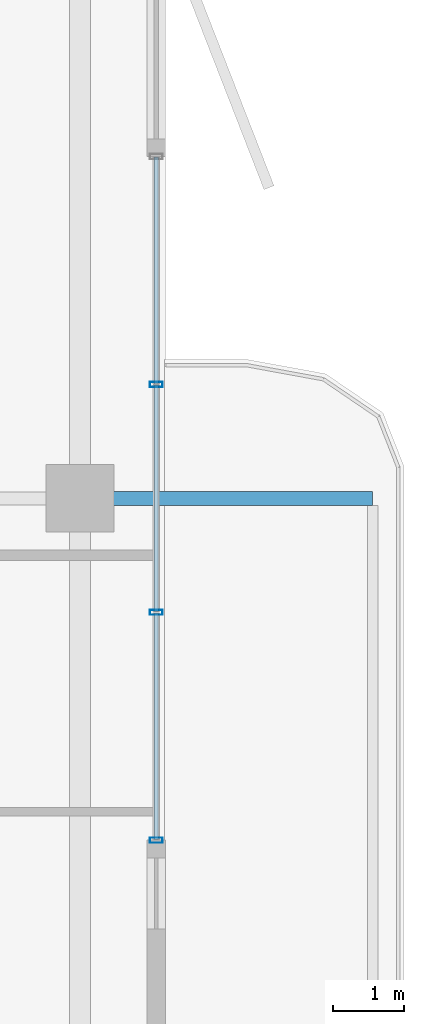
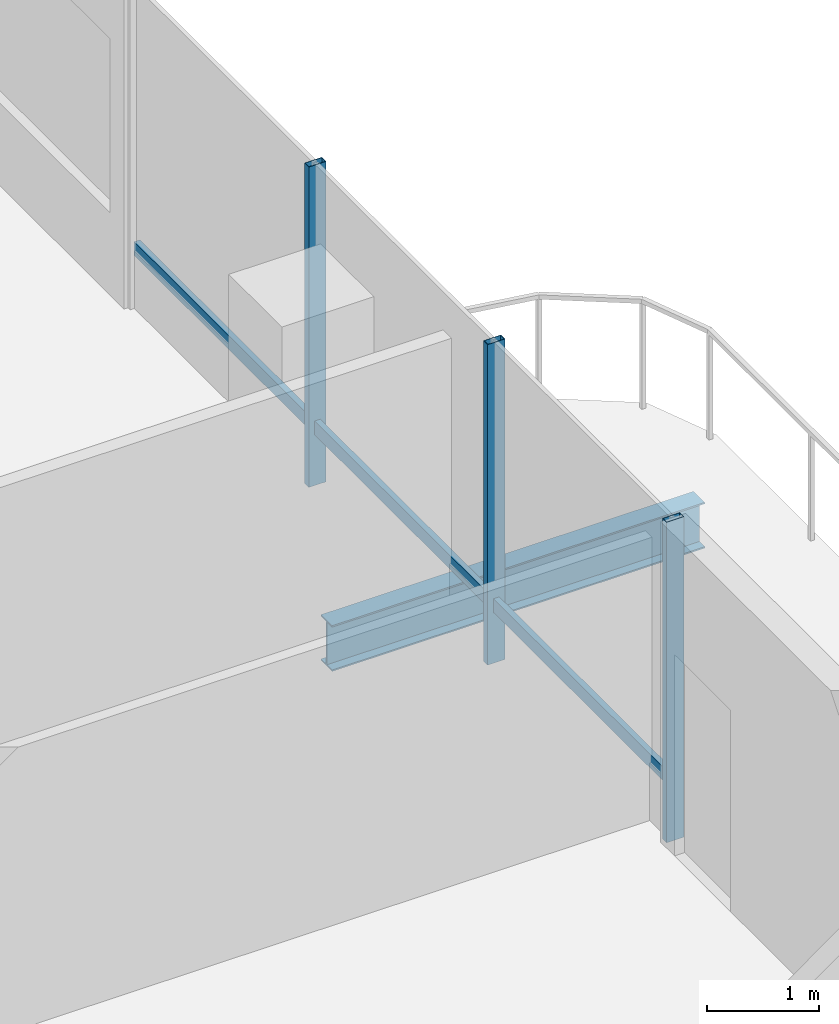
# One storey, part 10 of 25: 6 members, 1 beam, 1 element without a shape of its own.
"""IFC4 building model written with IfcOpenShell, lengths in metres."""

import ifcopenshell
import ifcopenshell.guid

model = None  # the IFC model being written
_history = None  # IfcOwnerHistory: only IFC2X3 demands one
_inside = {}  # id of a spatial element -> (the spatial element, [elements in it])
_under = {}  # id of a project, library or spatial element -> (it, [spatial elements below it])
_declared = {}  # id of a project -> (the project, [libraries it declares])
_typed = {}  # id of a type object -> (the type object, [elements of that type])
_made_of = {}  # id of a material, layer set ... -> (it, [elements and type objects made of it])


def new_model(schema):
    """Start an empty IFC model of exactly this schema.

    Asked for "IFC4X3", IfcOpenShell would pick the latest addendum, in which some entities
    have other attributes; the version numbers below select the first issue.
    IFC2X3 requires an IfcOwnerHistory on every rooted entity: one is made here for all.
    """
    global model, _history
    if schema == "IFC4X3":
        model = ifcopenshell.file(schema_version=(4, 3, 0, 0))
    else:
        model = ifcopenshell.file(schema=schema)
    _inside.clear()
    _under.clear()
    _declared.clear()
    _typed.clear()
    _made_of.clear()
    _history = None
    if model.schema == "IFC2X3":
        org = make("IfcOrganization", Name="unknown")
        user = make(
            "IfcPersonAndOrganization",
            ThePerson=make("IfcPerson", FamilyName="unknown"),
            TheOrganization=org,
        )
        app = make(
            "IfcApplication",
            ApplicationDeveloper=org,
            Version="unknown",
            ApplicationFullName="unknown",
            ApplicationIdentifier="unknown",
        )
        _history = make(
            "IfcOwnerHistory",
            OwningUser=user,
            OwningApplication=app,
            ChangeAction="ADDED",
            CreationDate=0,
        )
    return model


def make(cls, **values):
    """One entity of the class cls with the attributes given. An attribute that is None is left unset."""
    return model.create_entity(
        cls, **{name: value for name, value in values.items() if value is not None}
    )


def rooted(cls, **values):
    """An entity with a GlobalId (a new one), such as an element, a storey or a relation."""
    return make(cls, GlobalId=ifcopenshell.guid.new(), OwnerHistory=_history, **values)


def si_unit(unit_type, name, prefix=None):
    """IfcSIUnit, for example si_unit("LENGTHUNIT", "METRE", prefix="MILLI")."""
    return make("IfcSIUnit", UnitType=unit_type, Prefix=prefix, Name=name)


def assignment(units):
    """IfcUnitAssignment: the units of a project."""
    return None if units is None else make("IfcUnitAssignment", Units=units)


def point(xyz):
    """IfcCartesianPoint."""
    return None if xyz is None else make("IfcCartesianPoint", Coordinates=xyz)


def direction(xyz):
    """IfcDirection."""
    return None if xyz is None else make("IfcDirection", DirectionRatios=xyz)


def frame(location, z_axis=None, x_axis=None):
    """IfcAxis2Placement3D, a coordinate frame: its origin and axes. An axis left out is left unset."""
    return make(
        "IfcAxis2Placement3D",
        Location=point(location),
        Axis=direction(z_axis),
        RefDirection=direction(x_axis),
    )


def frame_2d(location, x_axis=None):
    """IfcAxis2Placement2D, a coordinate frame in the plane: its origin and x axis."""
    return make(
        "IfcAxis2Placement2D", Location=point(location), RefDirection=direction(x_axis)
    )


def origin():
    """The frame at (0, 0, 0) with its axes left unset."""
    return frame((0.0, 0.0, 0.0))


def origin_2d():
    """The frame at (0, 0) in the plane with its x axis left unset."""
    return frame_2d((0.0, 0.0))


def place(relative_to, where):
    """IfcLocalPlacement: puts the frame where relative to a parent placement (None: the world)."""
    return make(
        "IfcLocalPlacement", PlacementRelTo=relative_to, RelativePlacement=where
    )


def context(
    kind, dimensions, precision=None, world=None, true_north=None, identifier=None
):
    """IfcGeometricRepresentationContext, for example the 3D "Model" context."""
    return make(
        "IfcGeometricRepresentationContext",
        ContextIdentifier=identifier,
        ContextType=kind,
        CoordinateSpaceDimension=dimensions,
        Precision=precision,
        WorldCoordinateSystem=world,
        TrueNorth=true_north,
    )


def subcontext(parent, identifier, kind, view, scale=None):
    """IfcGeometricRepresentationSubContext, for example "Body" below "Model"."""
    return make(
        "IfcGeometricRepresentationSubContext",
        ContextIdentifier=identifier,
        ContextType=kind,
        ParentContext=parent,
        TargetScale=scale,
        TargetView=view,
    )


def project(units=None, contexts=None):
    """IfcProject with its units and contexts."""
    return rooted(
        "IfcProject",
        Name="project",
        RepresentationContexts=contexts,
        UnitsInContext=assignment(units),
    )


def spatial(cls, under=None, at=None, **own):
    """A site, building, storey or space (cls), placed at a placement, below another one or the project."""
    s = rooted(cls, ObjectPlacement=at, **own)
    if under is not None:
        _under.setdefault(under.id(), (under, []))[1].append(s)
    return s


def profile(cls, at=None, kind="AREA", **sizes):
    """A parametric profile (cls). Its sizes go by their IFC names, for example OverallWidth=200.0."""
    return make(cls, ProfileType=kind, Position=at, **sizes)


def hollow_rectangle(**sizes):
    """IfcRectangleHollowProfileDef."""
    return profile("IfcRectangleHollowProfileDef", **sizes)


def i_section(**sizes):
    """IfcIShapeProfileDef."""
    return profile("IfcIShapeProfileDef", **sizes)


def extrude(swept, where, along, depth):
    """IfcExtrudedAreaSolid: the profile swept, set in the frame where, extruded along a direction by depth."""
    return make(
        "IfcExtrudedAreaSolid",
        SweptArea=swept,
        Position=where,
        ExtrudedDirection=direction(along),
        Depth=depth,
    )


def shape(context_of_items, identifier, shape_type, items):
    """IfcShapeRepresentation: the items that make up one representation, for example the "Body"."""
    return make(
        "IfcShapeRepresentation",
        ContextOfItems=context_of_items,
        RepresentationIdentifier=identifier,
        RepresentationType=shape_type,
        Items=items,
    )


def material(Name=None, Category=None):
    """IfcMaterial."""
    return make("IfcMaterial", Name=Name, Category=Category)


def layer(
    of_material, thickness, ventilated=None, Name=None, Category=None, Priority=None
):
    """IfcMaterialLayer: one layer of a wall or slab, of a material (None: an air gap)."""
    return make(
        "IfcMaterialLayer",
        Material=of_material,
        LayerThickness=thickness,
        IsVentilated=ventilated,
        Name=Name,
        Category=Category,
        Priority=Priority,
    )


def layer_set(layers, Name=None):
    """IfcMaterialLayerSet."""
    return make("IfcMaterialLayerSet", MaterialLayers=layers, LayerSetName=Name)


def material_profile(
    of_material, cross_section, Name=None, Category=None, Priority=None
):
    """IfcMaterialProfile: a cross section and its material."""
    return make(
        "IfcMaterialProfile",
        Name=Name,
        Material=of_material,
        Profile=cross_section,
        Priority=Priority,
        Category=Category,
    )


def profile_set(profiles, Name=None, composite=None):
    """IfcMaterialProfileSet."""
    return make(
        "IfcMaterialProfileSet",
        Name=Name,
        MaterialProfiles=profiles,
        CompositeProfile=composite,
    )


def made_of(thing, what):
    """Note that an element or type object is made of a material, layer set ...; save() writes the relation."""
    if what is not None:
        _made_of.setdefault(what.id(), (what, []))[1].append(thing)
    return thing


def type_object(cls, material=None, **own):
    """A type object (cls), such as IfcWallType, which elements share."""
    return made_of(rooted(cls, **own), material)


def element(
    cls,
    number,
    at=None,
    inside=None,
    cuts=None,
    type_object=None,
    material=None,
    context=None,
    identifier="Body",
    shape_type=None,
    held_by="IfcProductDefinitionShape",
    body=None,
    shapes=None,
    **own,
):
    """One element of the class cls, such as IfcWall. Its Tag is "e" and its number.

    at: its placement. inside: the storey or other place that contains it. cuts: it is an
    opening in that element (IfcRelVoidsElement). A single representation is given by context,
    identifier, shape_type and body (its items); several are given by shapes. held_by: the class
    of the entity that holds the representations. save() writes the other relations.
    """
    e = rooted(cls, Tag="e%d" % number, ObjectPlacement=at, **own)
    if body is not None:
        shapes = [shape(context, identifier, shape_type, body)]
    if shapes is not None:
        e.Representation = make(held_by, Representations=shapes)
    if inside is not None:
        _inside.setdefault(inside.id(), (inside, []))[1].append(e)
    if cuts is not None:
        rooted(
            "IfcRelVoidsElement", RelatingBuildingElement=cuts, RelatedOpeningElement=e
        )
    if type_object is not None:
        _typed.setdefault(type_object.id(), (type_object, []))[1].append(e)
    return made_of(e, material)


def aggregate(whole, parts):
    """IfcRelAggregates: a whole, such as a stair, and the parts it consists of."""
    return rooted("IfcRelAggregates", RelatingObject=whole, RelatedObjects=parts)


def save(model, path):
    """Write the relations noted so far, then the file.

    IfcRelAggregates (storeys below a building ...), IfcRelContainedInSpatialStructure (elements
    in a storey), IfcRelDefinesByType, IfcRelAssociatesMaterial and IfcRelDeclares: one each for
    every whole, place, type object, material and project.
    """
    for whole, parts in _under.values():
        aggregate(whole, parts)
    for where, things in _inside.values():
        rooted(
            "IfcRelContainedInSpatialStructure",
            RelatedElements=things,
            RelatingStructure=where,
        )
    for kind, things in _typed.values():
        rooted("IfcRelDefinesByType", RelatedObjects=things, RelatingType=kind)
    for what, things in _made_of.values():
        rooted("IfcRelAssociatesMaterial", RelatedObjects=things, RelatingMaterial=what)
    for by, libraries in _declared.values():
        rooted("IfcRelDeclares", RelatingContext=by, RelatedDefinitions=libraries)
    model.write(path)


model = new_model("IFC4")

# Units and contexts
model_context = context("Model", 3, precision=1e-05, world=origin(), true_north=direction((0.0, 1.0)))
body_context = subcontext(model_context, "Body", "Model", "MODEL_VIEW")
ifc_project = project(units=[si_unit("LENGTHUNIT", "METRE"), si_unit("AREAUNIT", "SQUARE_METRE"), si_unit("VOLUMEUNIT", "CUBIC_METRE"), si_unit("PLANEANGLEUNIT", "RADIAN"), si_unit("MASSUNIT", "GRAM", prefix="KILO")], contexts=[model_context])

# Site, building, storey
site_placement = place(None, origin())
site = spatial("IfcSite", under=ifc_project, at=site_placement, CompositionType="ELEMENT")
building_placement = place(site_placement, origin())
building = spatial("IfcBuilding", under=site, at=building_placement, Name="Belovzor Exchange Tower", CompositionType="ELEMENT")
storey_placement = place(building_placement, frame((0.0, 0.0, 254.10009765625)))
storey = spatial("IfcBuildingStorey", under=building, at=storey_placement, Name="L63", CompositionType="ELEMENT", Elevation=254.10009765625)

# Beam
ifc_material_1 = material(Name="Steel S355", Category="steel")
ifc_material_profile_1 = material_profile(ifc_material_1, i_section(OverallWidth=0.199951171875, OverallDepth=0.5, WebThickness=0.01025390625, FlangeThickness=0.01611328125, at=origin_2d()))
ifc_profile_set_1 = profile_set([ifc_material_profile_1], Name="Steel S355")
beam_type = type_object("IfcBeamType", Name="Planted Balcony Cantilever Beam IPE 500", PredefinedType="BEAM", material=ifc_profile_set_1)
beam_placement = place(storey_placement, frame((52.760986328125, 28.800048828125, -0.5), z_axis=(1.0, 0.0, 0.0), x_axis=(0.0, 1.0, 0.0)))
element("IfcBeam", 1, at=beam_placement, inside=storey, type_object=beam_type, Name="BC-500 Planted Balcony Cantilever Beam IPE 500", PredefinedType="BEAM", context=body_context, shape_type="SweptSolid", body=[
    extrude(i_section(OverallWidth=0.199951171875, OverallDepth=0.5, WebThickness=0.01025390625, FlangeThickness=0.01611328125, at=origin_2d()), origin(), (0.0, 0.0, 1.0), 3.85009765625),
])

# Curtain wall, members
ifc_material_2 = material(Name="Anodised Aluminium Framing", Category="aluminium")
ifc_layer = layer(ifc_material_2, 0.179931640625)
ifc_layer_set = layer_set([ifc_layer], Name="Anodised Aluminium Framing")
curtain_wall_type = type_object("IfcCurtainWallType", Name="Recessed Loggia Low-Iron Triple-Glazed Curtain Wall", PredefinedType="NOTDEFINED", material=ifc_layer_set)
curtain_wall_placement = place(storey_placement, origin())
curtain_wall = element("IfcCurtainWall", 2, at=curtain_wall_placement, inside=storey, type_object=curtain_wall_type, Name="CW3 Recessed Loggia Low-Iron Triple-Glazed Curtain Wall L63", PredefinedType="NOTDEFINED")
ifc_material_3 = material(Name="Steel S355", Category="steel")
ifc_material_profile_2 = material_profile(ifc_material_3, hollow_rectangle(XDim=0.074951171875, YDim=0.179931640625, WallThickness=0.0048828125, at=origin_2d()))
ifc_profile_set_2 = profile_set([ifc_material_profile_2], Name="Steel S355")
member_type_1 = type_object("IfcMemberType", Name="Thermally Broken Curtain Wall Mullion 180x75", PredefinedType="MULLION", material=ifc_profile_set_2)
member_1_placement = place(storey_placement, frame((53.570068359375, 30.39990234375, 0.0), z_axis=(0.0, 0.0, 1.0), x_axis=(0.0, -1.0, 0.0)))
member_1 = element("IfcMember", 3, at=member_1_placement, type_object=member_type_1, Name="CW-M180 Curtain Wall Mullion 2", PredefinedType="MULLION", context=body_context, shape_type="SweptSolid", body=[
    extrude(hollow_rectangle(XDim=0.074951171875, YDim=0.179931640625, WallThickness=0.0048828125, at=origin_2d()), origin(), (0.0, 0.0, 1.0), 3.5),
])
member_2_placement = place(storey_placement, frame((53.570068359375, 27.199951171875, 0.0), z_axis=(0.0, 0.0, 1.0), x_axis=(0.0, -1.0, 0.0)))
member_2 = element("IfcMember", 4, at=member_2_placement, type_object=member_type_1, Name="CW-M180 Curtain Wall Mullion 3", PredefinedType="MULLION", context=body_context, shape_type="SweptSolid", body=[
    extrude(hollow_rectangle(XDim=0.074951171875, YDim=0.179931640625, WallThickness=0.0048828125, at=origin_2d()), origin(), (0.0, 0.0, 1.0), 3.5),
])
member_3_placement = place(storey_placement, frame((53.570068359375, 24.0, 0.0), z_axis=(0.0, 0.0, 1.0), x_axis=(0.0, -1.0, 0.0)))
member_3 = element("IfcMember", 5, at=member_3_placement, type_object=member_type_1, Name="CW-M180 Curtain Wall Mullion 4", PredefinedType="MULLION", context=body_context, shape_type="SweptSolid", body=[
    extrude(hollow_rectangle(XDim=0.074951171875, YDim=0.179931640625, WallThickness=0.0048828125, at=origin_2d()), origin(), (0.0, 0.0, 1.0), 3.5),
])
ifc_material_4 = material(Name="Steel S355", Category="steel")
ifc_material_profile_3 = material_profile(ifc_material_4, hollow_rectangle(XDim=0.06005859375, YDim=0.14990234375, WallThickness=0.00390625, at=origin_2d()))
ifc_profile_set_3 = profile_set([ifc_material_profile_3], Name="Steel S355")
member_type_2 = type_object("IfcMemberType", Name="Thermally Broken Curtain Wall Transom 150x60", PredefinedType="USERDEFINED", material=ifc_profile_set_3)
member_4_placement = place(storey_placement, frame((53.570068359375, 33.592041015625, 0.6298828125), z_axis=(0.0, -1.0, 0.0), x_axis=(1.0, 0.0, 0.0)))
member_4 = element("IfcMember", 6, at=member_4_placement, type_object=member_type_2, Name="CW-T150 Curtain Wall Transom 1", ObjectType="TRANSOM", PredefinedType="USERDEFINED", context=body_context, shape_type="SweptSolid", body=[
    extrude(hollow_rectangle(XDim=0.06005859375, YDim=0.14990234375, WallThickness=0.00390625, at=origin_2d()), origin(), (0.0, 0.0, 1.0), 3.18408203125),
])
member_5_placement = place(storey_placement, frame((53.570068359375, 30.39208984375, 0.6298828125), z_axis=(0.0, -1.0, 0.0), x_axis=(1.0, 0.0, 0.0)))
member_5 = element("IfcMember", 7, at=member_5_placement, type_object=member_type_2, Name="CW-T150 Curtain Wall Transom 2", ObjectType="TRANSOM", PredefinedType="USERDEFINED", context=body_context, shape_type="SweptSolid", body=[
    extrude(hollow_rectangle(XDim=0.06005859375, YDim=0.14990234375, WallThickness=0.00390625, at=origin_2d()), origin(), (0.0, 0.0, 1.0), 3.18408203125),
])
member_6_placement = place(storey_placement, frame((53.570068359375, 27.19189453125, 0.6298828125), z_axis=(0.0, -1.0, 0.0), x_axis=(1.0, 0.0, 0.0)))
member_6 = element("IfcMember", 8, at=member_6_placement, type_object=member_type_2, Name="CW-T150 Curtain Wall Transom 3", ObjectType="TRANSOM", PredefinedType="USERDEFINED", context=body_context, shape_type="SweptSolid", body=[
    extrude(hollow_rectangle(XDim=0.06005859375, YDim=0.14990234375, WallThickness=0.00390625, at=origin_2d()), origin(), (0.0, 0.0, 1.0), 3.183837890625),
])
aggregate(curtain_wall, [member_1, member_2, member_3, member_4, member_5, member_6])

save(model, "model.ifc")
